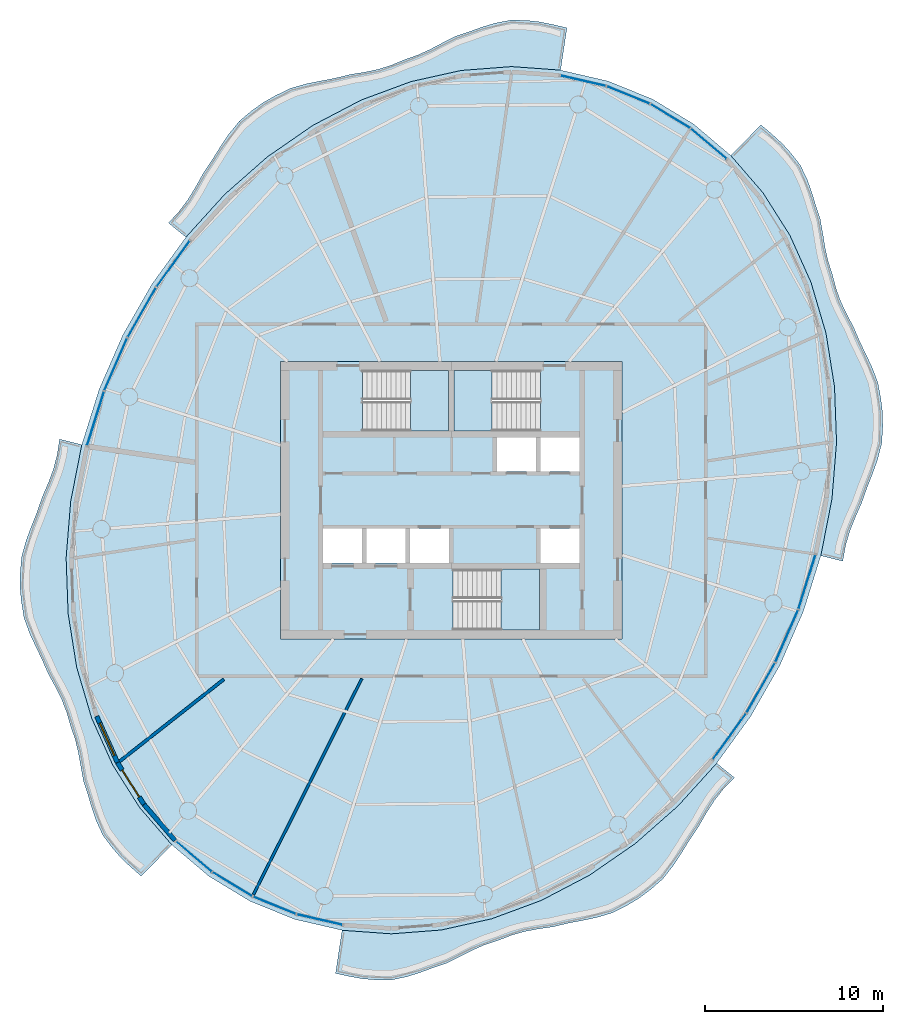
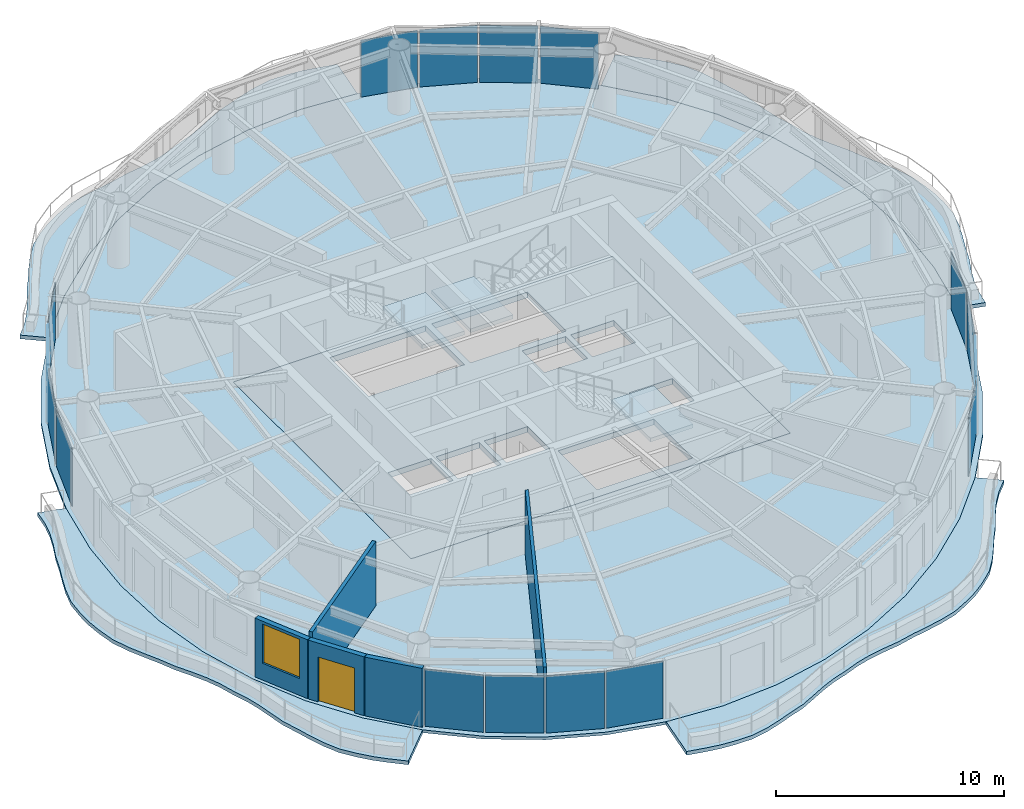
# One storey, part 6 of 13: 16 plates, 9 slabs, 5 walls, 1 door, 1 window, 2 openings, 19 elements without a shape of their own.
"""IFC4 building model written with IfcOpenShell, lengths in metres."""

from ifc_helpers import new_model, si_unit, direction, frame, frame_2d, origin, origin_2d, place, context, subcontext, project, spatial, polyline, rectangle, outline, extrude, material, layer, layer_set, type_object, element, fill, aggregate, save


model = new_model("IFC4")

# Units and contexts
model_context = context("Model", 3, precision=1e-05, world=origin(), true_north=direction((0.0, 1.0)))
body_context = subcontext(model_context, "Body", "Model", "MODEL_VIEW")
ifc_project = project(units=[si_unit("LENGTHUNIT", "METRE"), si_unit("AREAUNIT", "SQUARE_METRE"), si_unit("VOLUMEUNIT", "CUBIC_METRE"), si_unit("PLANEANGLEUNIT", "RADIAN"), si_unit("MASSUNIT", "GRAM", prefix="KILO")], contexts=[model_context])

# Site, building, storey
site_placement = place(None, origin())
site = spatial("IfcSite", under=ifc_project, at=site_placement, CompositionType="ELEMENT")
building_placement = place(site_placement, origin())
building = spatial("IfcBuilding", under=site, at=building_placement, Name="Vermilion Reach Broadcast Tower", CompositionType="ELEMENT")
storey_placement = place(building_placement, frame((0.0, 0.0, 286.5)))
storey = spatial("IfcBuildingStorey", under=building, at=storey_placement, Name="L71", CompositionType="ELEMENT", Elevation=286.5)

# Slabs
ifc_material_1 = material(Name="Concrete C40/50", Category="concrete")
ifc_layer_1 = layer(ifc_material_1, 0.199951171875)
ifc_layer_set_1 = layer_set([ifc_layer_1], Name="Balcony slab 200")
slab_type_1 = type_object("IfcSlabType", Name="Balcony slab 200", PredefinedType="FLOOR", material=ifc_layer_set_1)
placement_1 = place(storey_placement, frame((0.0, 0.0, -0.199951171875)))
element("IfcSlab", 1, at=placement_1, inside=storey, type_object=slab_type_1, Name="Balcony slab L71 group 1", PredefinedType="FLOOR", context=body_context, shape_type="SweptSolid", body=[
    extrude(outline(polyline([(0.14208984375, 24.173583984375), (-2.62158203125, 24.37353515625), (-5.443115234375, 24.156494140625), (-8.27392578125, 23.526123046875), (-11.06591796875, 22.4931640625), (-13.771484375, 21.0751953125), (-16.34375, 19.296875), (-18.7392578125, 17.188232421875), (-20.916748046875, 14.78564453125), (-21.9013671875, 15.584228515625), (-21.3037109375, 16.230224609375), (-20.81640625, 16.882568359375), (-20.385498046875, 17.586181640625), (-19.932861328125, 18.399169921875), (-19.419189453125, 19.168212890625), (-18.978759765625, 19.875244140625), (-18.520263671875, 20.56201171875), (-17.915283203125, 21.307861328125), (-17.19921875, 21.9091796875), (-16.56103515625, 22.360595703125), (-15.877197265625, 22.746337890625), (-15.030517578125, 23.15771484375), (-14.1328125, 23.409912109375), (-13.352294921875, 23.5654296875), (-12.568359375, 23.71484375), (-11.7041015625, 23.927734375), (-10.853759765625, 24.064208984375), (-10.117919921875, 24.219970703125), (-9.40576171875, 24.440185546875), (-8.6376953125, 24.75927734375), (-7.86669921875, 25.032470703125), (-7.192626953125, 25.341796875), (-6.527587890625, 25.69091796875), (-5.7314453125, 26.091552734375), (-4.903564453125, 26.368408203125), (-4.213134765625, 26.614501953125), (-3.51953125, 26.822265625), (-2.62744140625, 26.9921875), (-1.739501953125, 26.96630859375), (-1.05029296875, 26.891357421875), (-0.36572265625, 26.755126953125), (0.50048828125, 26.552734375), (0.14208984375, 24.173583984375)])), origin(), (0.0, 0.0, 1.0), 0.199951171875),
])
element("IfcSlab", 2, at=placement_1, inside=storey, type_object=slab_type_1, Name="Balcony slab L71 group 2", PredefinedType="FLOOR", context=body_context, shape_type="SweptSolid", body=[
    extrude(outline(polyline([(-26.7705078125, 3.1162109375), (-27.39453125, -0.065673828125), (-27.65234375, -3.246337890625), (-27.539794921875, -6.371826171875), (-27.058837890625, -9.387939453125), (-26.21728515625, -12.24365234375), (-25.030029296875, -14.8896484375), (-23.51708984375, -17.281005859375), (-21.704345703125, -19.376708984375), (-23.43994140625, -21.1298828125), (-24.1083984375, -20.540283203125), (-24.60888671875, -20.057373046875), (-25.06201171875, -19.533447265625), (-25.59375, -18.82275390625), (-25.97119140625, -17.99658203125), (-26.205078125, -17.307373046875), (-26.412109375, -16.601318359375), (-26.6796875, -15.77587890625), (-26.83740234375, -14.906005859375), (-26.96728515625, -14.169677734375), (-27.140380859375, -13.45263671875), (-27.404052734375, -12.682373046875), (-27.633056640625, -11.884765625), (-27.9072265625, -11.189697265625), (-28.24462890625, -10.51318359375), (-28.6611328125, -9.750244140625), (-29.017333984375, -8.92724609375), (-29.36669921875, -8.209716796875), (-29.700439453125, -7.489501953125), (-30.01904296875, -6.61328125), (-30.172119140625, -5.68408203125), (-30.244384765625, -4.904541015625), (-30.23583984375, -4.121826171875), (-30.156005859375, -3.190185546875), (-29.899658203125, -2.263671875), (-29.611083984375, -1.48681640625), (-29.304931640625, -0.711181640625), (-29.003173828125, 0.15673828125), (-28.639404296875, 1.004638671875), (-28.356689453125, 1.775390625), (-28.1533203125, 2.5615234375), (-28.02099609375, 3.43359375), (-26.7705078125, 3.1162109375)])), origin(), (0.0, 0.0, 1.0), 0.199951171875),
])
element("IfcSlab", 3, at=placement_1, inside=storey, type_object=slab_type_1, Name="Balcony slab L71 group 3", PredefinedType="FLOOR", context=body_context, shape_type="SweptSolid", body=[
    extrude(outline(polyline([(-12.14208984375, -24.173583984375), (-9.37841796875, -24.37353515625), (-6.556884765625, -24.156494140625), (-3.72607421875, -23.526123046875), (-0.93408203125, -22.4931640625), (1.771484375, -21.0751953125), (4.34375, -19.296875), (6.7392578125, -17.188232421875), (8.916748046875, -14.78564453125), (9.913818359375, -15.59423828125), (9.29931640625, -16.226318359375), (8.796142578125, -16.8642578125), (8.351806640625, -17.5556640625), (7.892333984375, -18.358154296875), (7.377685546875, -19.12109375), (6.938720703125, -19.829833984375), (6.486572265625, -20.523681640625), (5.8935546875, -21.280029296875), (5.1904296875, -21.896240234375), (4.564208984375, -22.365234375), (3.89208984375, -22.76806640625), (3.05322265625, -23.1953125), (2.158935546875, -23.459716796875), (1.381103515625, -23.62060546875), (0.59716796875, -23.76953125), (-0.273681640625, -23.977294921875), (-1.1318359375, -24.10302734375), (-1.8740234375, -24.2421875), (-2.5927734375, -24.44384765625), (-3.366943359375, -24.74365234375), (-4.140869140625, -24.998779296875), (-4.818115234375, -25.293701171875), (-5.4853515625, -25.633544921875), (-6.27783203125, -26.029052734375), (-7.10107421875, -26.307861328125), (-7.791015625, -26.561767578125), (-8.483642578125, -26.782470703125), (-9.37255859375, -26.96875), (-10.26025390625, -26.96142578125), (-10.95068359375, -26.9052734375), (-11.63671875, -26.786865234375), (-12.50732421875, -26.5986328125), (-12.14208984375, -24.173583984375)])), origin(), (0.0, 0.0, 1.0), 0.199951171875),
])
element("IfcSlab", 4, at=placement_1, inside=storey, type_object=slab_type_1, Name="Balcony slab L71 group 4", PredefinedType="FLOOR", context=body_context, shape_type="SweptSolid", body=[
    extrude(outline(polyline([(14.7705078125, -3.1162109375), (15.39453125, 0.065673828125), (15.65234375, 3.246337890625), (15.539794921875, 6.371826171875), (15.058837890625, 9.387939453125), (14.21728515625, 12.24365234375), (13.030029296875, 14.8896484375), (11.51708984375, 17.281005859375), (9.704345703125, 19.376708984375), (11.408203125, 21.09765625), (12.085693359375, 20.5205078125), (12.599609375, 20.04931640625), (13.067138671875, 19.537841796875), (13.614013671875, 18.837646484375), (14.006103515625, 18.0185546875), (14.25048828125, 17.336181640625), (14.4638671875, 16.634033203125), (14.7353515625, 15.8056640625), (14.890625, 14.929931640625), (15.01123046875, 14.189208984375), (15.17041015625, 13.466064453125), (15.417724609375, 12.6875), (15.62744140625, 11.88330078125), (15.8828125, 11.1826171875), (16.20361328125, 10.501220703125), (16.607177734375, 9.738037109375), (16.9560546875, 8.91748046875), (17.305419921875, 8.19970703125), (17.645751953125, 7.48095703125), (17.9765625, 6.609130859375), (18.147705078125, 5.683349609375), (18.240478515625, 4.904296875), (18.253173828125, 4.122314453125), (18.19287109375, 3.189453125), (17.951416015625, 2.259521484375), (17.671875, 1.48193359375), (17.367431640625, 0.7060546875), (17.059814453125, -0.16455078125), (16.6826171875, -1.01318359375), (16.382080078125, -1.7802734375), (16.1572265625, -2.562255859375), (16.003662109375, -3.42919921875), (14.7705078125, -3.1162109375)])), origin(), (0.0, 0.0, 1.0), 0.199951171875),
])
ifc_material_2 = material(Name="Concrete C40", Category="concrete")
ifc_layer_2 = layer(ifc_material_2, 0.300048828125)
ifc_layer_set_2 = layer_set([ifc_layer_2], Name="Core floor slab 300 mm Concrete C40")
slab_type_2 = type_object("IfcSlabType", Name="Core floor slab 300 mm Concrete C40", PredefinedType="FLOOR", material=ifc_layer_set_2)
slab_5_placement = place(storey_placement, frame((0.0, 0.0, -0.300048828125)))
element("IfcSlab", 5, at=slab_5_placement, inside=storey, type_object=slab_type_2, Name="L71 core floor", PredefinedType="FLOOR", context=body_context, shape_type="SweptSolid", body=[
    extrude(outline(polyline([(-15.60009765625, -7.800048828125), (3.60009765625, -7.800048828125), (3.60009765625, 7.800048828125), (-15.60009765625, 7.800048828125), (-15.60009765625, -7.800048828125)]), holes=[polyline([(-3.433349609375, 1.60009765625), (-1.24169921875, 1.60009765625), (-1.24169921875, 3.530029296875), (-3.433349609375, 3.530029296875), (-3.433349609375, 1.60009765625)]), polyline([(-0.99169921875, 1.60009765625), (1.199951171875, 1.60009765625), (1.199951171875, 3.530029296875), (-0.99169921875, 3.530029296875), (-0.99169921875, 1.60009765625)]), polyline([(-13.199951171875, -3.530029296875), (-11.00830078125, -3.530029296875), (-11.00830078125, -1.60009765625), (-13.199951171875, -1.60009765625), (-13.199951171875, -3.530029296875)]), polyline([(-10.75830078125, -3.530029296875), (-8.566650390625, -3.530029296875), (-8.566650390625, -1.60009765625), (-10.75830078125, -1.60009765625), (-10.75830078125, -3.530029296875)]), polyline([(-8.316650390625, -3.530029296875), (-6.125, -3.530029296875), (-6.125, -1.60009765625), (-8.316650390625, -1.60009765625), (-8.316650390625, -3.530029296875)]), polyline([(-0.99169921875, -3.530029296875), (1.199951171875, -3.530029296875), (1.199951171875, -1.60009765625), (-0.99169921875, -1.60009765625), (-0.99169921875, -3.530029296875)]), polyline([(-10.999267578125, 3.8798828125), (-6.14990234375, 3.8798828125), (-6.14990234375, 7.300048828125), (-10.999267578125, 7.300048828125), (-10.999267578125, 3.8798828125)]), polyline([(-1.000732421875, 7.300048828125), (-5.85009765625, 7.300048828125), (-5.85009765625, 3.8798828125), (-1.000732421875, 3.8798828125), (-1.000732421875, 7.300048828125)]), polyline([(-5.8994140625, -7.300048828125), (-1.050048828125, -7.300048828125), (-1.050048828125, -3.8798828125), (-5.8994140625, -3.8798828125), (-5.8994140625, -7.300048828125)])]), origin(), (0.0, 0.0, 1.0), 0.300048828125),
])

# Stair, slab
ifc_material_3 = material(Name="Concrete C40", Category="concrete")
stair_type = type_object("IfcStairType", Name="Exit stair RC 22 risers 164 mm", PredefinedType="HALF_TURN_STAIR", material=ifc_material_3)
placement_2 = place(storey_placement, origin())
stair_1 = element("IfcStair", 6, at=placement_2, inside=storey, type_object=stair_type, Name="L71 Exit stair ST1", PredefinedType="HALF_TURN_STAIR")
ifc_material_4 = material(Name="Concrete C40", Category="concrete")
ifc_layer_3 = layer(ifc_material_4, 0.199951171875)
ifc_layer_set_3 = layer_set([ifc_layer_3], Name="Exit stair landing Concrete C40")
slab_type_3 = type_object("IfcSlabType", Name="Exit stair landing Concrete C40", PredefinedType="LANDING", material=ifc_layer_set_3)
placement_3 = place(storey_placement, frame((0.0, 0.0, 1.60009765625)))
slab_6 = element("IfcSlab", 7, at=placement_3, type_object=slab_type_3, Name="ST1 landing 1", PredefinedType="LANDING", context=body_context, shape_type="SweptSolid", body=[
    extrude(outline(polyline([(-8.300048828125, 3.8798828125), (-6.14990234375, 3.8798828125), (-6.14990234375, 7.300048828125), (-8.300048828125, 7.300048828125), (-8.300048828125, 3.8798828125)])), origin(), (0.0, 0.0, 1.0), 0.199951171875),
])
aggregate(stair_1, [slab_6])

stair_2 = element("IfcStair", 8, at=placement_2, inside=storey, type_object=stair_type, Name="L71 Exit stair ST2", PredefinedType="HALF_TURN_STAIR")
slab_7 = element("IfcSlab", 9, at=placement_3, type_object=slab_type_3, Name="ST2 landing 1", PredefinedType="LANDING", context=body_context, shape_type="SweptSolid", body=[
    extrude(outline(polyline([(-3.699951171875, 7.300048828125), (-5.85009765625, 7.300048828125), (-5.85009765625, 3.8798828125), (-3.699951171875, 3.8798828125), (-3.699951171875, 7.300048828125)])), origin(), (0.0, 0.0, 1.0), 0.199951171875),
])
aggregate(stair_2, [slab_7])

stair_3 = element("IfcStair", 10, at=placement_2, inside=storey, type_object=stair_type, Name="L71 Exit stair ST3", PredefinedType="HALF_TURN_STAIR")
slab_8 = element("IfcSlab", 11, at=placement_3, type_object=slab_type_3, Name="ST3 landing 1", PredefinedType="LANDING", context=body_context, shape_type="SweptSolid", body=[
    extrude(outline(polyline([(-3.199951171875, -7.300048828125), (-1.050048828125, -7.300048828125), (-1.050048828125, -3.8798828125), (-3.199951171875, -3.8798828125), (-3.199951171875, -7.300048828125)])), origin(), (0.0, 0.0, 1.0), 0.199951171875),
])
aggregate(stair_3, [slab_8])

# Slab
ifc_material_5 = material(Name="Concrete C40", Category="concrete")
ifc_layer_4 = layer(ifc_material_5, 0.14990234375)
ifc_layer_set_4 = layer_set([ifc_layer_4], Name="Floor slab Concrete C40 composite 150")
slab_type_4 = type_object("IfcSlabType", Name="Floor slab Concrete C40 composite 150", PredefinedType="FLOOR", material=ifc_layer_set_4)
slab_9_placement = place(storey_placement, frame((0.0, 0.0, -0.14990234375)))
element("IfcSlab", 12, at=slab_9_placement, inside=storey, type_object=slab_type_4, Name="Floor slab L71", PredefinedType="FLOOR", context=body_context, shape_type="SweptSolid", body=[
    extrude(outline(polyline([(5.30859375, 22.543212890625), (2.800537109375, 23.56005859375), (0.14208984375, 24.173583984375), (-2.62158203125, 24.37353515625), (-5.443115234375, 24.156494140625), (-8.27392578125, 23.526123046875), (-11.06591796875, 22.4931640625), (-13.771484375, 21.0751953125), (-16.34375, 19.296875), (-18.7392578125, 17.188232421875), (-20.916748046875, 14.78564453125), (-22.8388671875, 12.1298828125), (-24.472900390625, 9.266845703125), (-25.791015625, 6.244873046875), (-26.7705078125, 3.1162109375), (-27.39453125, -0.065673828125), (-27.65234375, -3.246337890625), (-27.539794921875, -6.371826171875), (-27.058837890625, -9.387939453125), (-26.21728515625, -12.24365234375), (-25.030029296875, -14.8896484375), (-23.51708984375, -17.281005859375), (-21.704345703125, -19.376708984375), (-19.623046875, -21.140869140625), (-17.30859375, -22.543212890625), (-14.800537109375, -23.56005859375), (-12.14208984375, -24.173583984375), (-9.37841796875, -24.37353515625), (-6.556884765625, -24.156494140625), (-3.72607421875, -23.526123046875), (-0.93408203125, -22.4931640625), (1.771484375, -21.0751953125), (4.34375, -19.296875), (6.7392578125, -17.188232421875), (8.916748046875, -14.78564453125), (10.8388671875, -12.1298828125), (12.472900390625, -9.266845703125), (13.791015625, -6.244873046875), (14.7705078125, -3.1162109375), (15.39453125, 0.065673828125), (15.65234375, 3.246337890625), (15.539794921875, 6.371826171875), (15.058837890625, 9.387939453125), (14.21728515625, 12.24365234375), (13.030029296875, 14.8896484375), (11.51708984375, 17.281005859375), (9.704345703125, 19.376708984375), (7.623046875, 21.140869140625), (5.30859375, 22.543212890625)]), holes=[polyline([(-15.60009765625, -7.800048828125), (3.60009765625, -7.800048828125), (3.60009765625, 7.800048828125), (-15.60009765625, 7.800048828125), (-15.60009765625, -7.800048828125)])]), origin(), (0.0, 0.0, 1.0), 0.14990234375),
])

# Curtain wall, plate
ifc_material_6 = material(Name="Low-e laminated clear glass in aluminium frame", Category="aluminium")
curtain_wall_type = type_object("IfcCurtainWallType", Name="Slot curtain wall", PredefinedType="NOTDEFINED", material=ifc_material_6)
curtain_wall_1 = element("IfcCurtainWall", 13, at=placement_2, inside=storey, type_object=curtain_wall_type, Name="Slot curtain wall L71 46", PredefinedType="NOTDEFINED")
ifc_material_7 = material(Name="Low-e laminated clear glass", Category="glass")
ifc_layer_5 = layer(ifc_material_7, 0.028076171875)
ifc_layer_set_5 = layer_set([ifc_layer_5], Name="Slot glass panel")
plate_type = type_object("IfcPlateType", Name="Slot glass panel", PredefinedType="CURTAIN_PANEL", material=ifc_layer_set_5)
plate_1_placement = place(storey_placement, frame((8.470458984375, 20.030517578125, 0.0), z_axis=(0.0, 0.0, 1.0), x_axis=(-0.762842395435, 0.646584472229, 0.0)))
plate_1 = element("IfcPlate", 14, at=plate_1_placement, type_object=plate_type, Name="Slot glass panel L71 46", PredefinedType="CURTAIN_PANEL", context=body_context, shape_type="SweptSolid", body=[
    extrude(rectangle(XDim=2.6015625, YDim=0.028076171875, at=origin_2d()), origin(), (0.0, 0.0, 1.0), 3.050048828125),
])
aggregate(curtain_wall_1, [plate_1])

curtain_wall_2 = element("IfcCurtainWall", 15, at=placement_2, inside=storey, type_object=curtain_wall_type, Name="Slot curtain wall L71 47", PredefinedType="NOTDEFINED")
plate_2_placement = place(storey_placement, frame((6.310791015625, 21.58642578125, 0.0), z_axis=(0.0, 0.0, 1.0), x_axis=(-0.855244477725, 0.518224742097, 0.0)))
plate_2 = element("IfcPlate", 16, at=plate_2_placement, type_object=plate_type, Name="Slot glass panel L71 47", PredefinedType="CURTAIN_PANEL", context=body_context, shape_type="SweptSolid", body=[
    extrude(rectangle(XDim=2.578369140625, YDim=0.028076171875, at=origin_2d()), origin(), (0.0, 0.0, 1.0), 3.050048828125),
])
aggregate(curtain_wall_2, [plate_2])

curtain_wall_3 = element("IfcCurtainWall", 17, at=placement_2, inside=storey, type_object=curtain_wall_type, Name="Slot curtain wall L71 00", PredefinedType="NOTDEFINED")
plate_3_placement = place(storey_placement, frame((3.942138671875, 22.774658203125, 0.0), z_axis=(0.0, 0.0, 1.0), x_axis=(-0.926746811252, 0.375686502066, 0.0)))
plate_3 = element("IfcPlate", 18, at=plate_3_placement, type_object=plate_type, Name="Slot glass panel L71 00", PredefinedType="CURTAIN_PANEL", context=body_context, shape_type="SweptSolid", body=[
    extrude(rectangle(XDim=2.578369140625, YDim=0.028076171875, at=origin_2d()), origin(), (0.0, 0.0, 1.0), 3.050048828125),
])
aggregate(curtain_wall_3, [plate_3])

curtain_wall_4 = element("IfcCurtainWall", 19, at=placement_2, inside=storey, type_object=curtain_wall_type, Name="Slot curtain wall L71 01", PredefinedType="NOTDEFINED")
plate_4_placement = place(storey_placement, frame((1.40380859375, 23.575439453125, 0.0), z_axis=(0.0, 0.0, 1.0), x_axis=(-0.974388015198, 0.224873288407, 0.0)))
plate_4 = element("IfcPlate", 20, at=plate_4_placement, type_object=plate_type, Name="Slot glass panel L71 01", PredefinedType="CURTAIN_PANEL", context=body_context, shape_type="SweptSolid", body=[
    extrude(rectangle(XDim=2.6015625, YDim=0.028076171875, at=origin_2d()), origin(), (0.0, 0.0, 1.0), 3.050048828125),
])
aggregate(curtain_wall_4, [plate_4])

curtain_wall_5 = element("IfcCurtainWall", 21, at=placement_2, inside=storey, type_object=curtain_wall_type, Name="Slot curtain wall L71 10", PredefinedType="NOTDEFINED")
plate_5_placement = place(storey_placement, frame((-21.63525390625, 13.281982421875, 0.0), z_axis=(0.0, 0.0, 1.0), x_axis=(-0.586337411162, -0.810066935673, 0.0)))
plate_5 = element("IfcPlate", 22, at=plate_5_placement, type_object=plate_type, Name="Slot glass panel L71 10", PredefinedType="CURTAIN_PANEL", context=body_context, shape_type="SweptSolid", body=[
    extrude(rectangle(XDim=3.165771484375, YDim=0.028076171875, at=origin_2d()), origin(), (0.0, 0.0, 1.0), 3.050048828125),
])
aggregate(curtain_wall_5, [plate_5])

curtain_wall_6 = element("IfcCurtainWall", 23, at=placement_2, inside=storey, type_object=curtain_wall_type, Name="Slot curtain wall L71 11", PredefinedType="NOTDEFINED")
plate_6_placement = place(storey_placement, frame((-23.395751953125, 10.5498046875, 0.0), z_axis=(0.0, 0.0, 1.0), x_axis=(-0.495675635385, -0.868507722755, 0.0)))
plate_6 = element("IfcPlate", 24, at=plate_6_placement, type_object=plate_type, Name="Slot glass panel L71 11", PredefinedType="CURTAIN_PANEL", context=body_context, shape_type="SweptSolid", body=[
    extrude(rectangle(XDim=3.1845703125, YDim=0.028076171875, at=origin_2d()), origin(), (0.0, 0.0, 1.0), 3.050048828125),
])
aggregate(curtain_wall_6, [plate_6])

curtain_wall_7 = element("IfcCurtainWall", 25, at=placement_2, inside=storey, type_object=curtain_wall_type, Name="Slot curtain wall L71 12", PredefinedType="NOTDEFINED")
plate_7_placement = place(storey_placement, frame((-24.857421875, 7.635986328125, 0.0), z_axis=(0.0, 0.0, 1.0), x_axis=(-0.399800206862, -0.916602309943, 0.0)))
plate_7 = element("IfcPlate", 26, at=plate_7_placement, type_object=plate_type, Name="Slot glass panel L71 12", PredefinedType="CURTAIN_PANEL", context=body_context, shape_type="SweptSolid", body=[
    extrude(rectangle(XDim=3.1845703125, YDim=0.028076171875, at=origin_2d()), origin(), (0.0, 0.0, 1.0), 3.050048828125),
])
aggregate(curtain_wall_7, [plate_7])

curtain_wall_8 = element("IfcCurtainWall", 27, at=placement_2, inside=storey, type_object=curtain_wall_type, Name="Slot curtain wall L71 13", PredefinedType="NOTDEFINED")
plate_8_placement = place(storey_placement, frame((-25.994873046875, 4.59130859375, 0.0), z_axis=(0.0, 0.0, 1.0), x_axis=(-0.298748786508, -0.95433178851, 0.0)))
plate_8 = element("IfcPlate", 28, at=plate_8_placement, type_object=plate_type, Name="Slot glass panel L71 13", PredefinedType="CURTAIN_PANEL", context=body_context, shape_type="SweptSolid", body=[
    extrude(rectangle(XDim=3.165771484375, YDim=0.028076171875, at=origin_2d()), origin(), (0.0, 0.0, 1.0), 3.050048828125),
])
aggregate(curtain_wall_8, [plate_8])

curtain_wall_9 = element("IfcCurtainWall", 29, at=placement_2, inside=storey, type_object=curtain_wall_type, Name="Slot curtain wall L71 22", PredefinedType="NOTDEFINED")
plate_9_placement = place(storey_placement, frame((-20.470458984375, -20.030517578125, 0.0), z_axis=(0.0, 0.0, 1.0), x_axis=(0.762842395435, -0.646584472229, 0.0)))
plate_9 = element("IfcPlate", 30, at=plate_9_placement, type_object=plate_type, Name="Slot glass panel L71 22", PredefinedType="CURTAIN_PANEL", context=body_context, shape_type="SweptSolid", body=[
    extrude(rectangle(XDim=2.6015625, YDim=0.028076171875, at=origin_2d()), origin(), (0.0, 0.0, 1.0), 3.050048828125),
])
aggregate(curtain_wall_9, [plate_9])

curtain_wall_10 = element("IfcCurtainWall", 31, at=placement_2, inside=storey, type_object=curtain_wall_type, Name="Slot curtain wall L71 23", PredefinedType="NOTDEFINED")
plate_10_placement = place(storey_placement, frame((-18.310791015625, -21.58642578125, 0.0), z_axis=(0.0, 0.0, 1.0), x_axis=(0.855244477725, -0.518224742097, 0.0)))
plate_10 = element("IfcPlate", 32, at=plate_10_placement, type_object=plate_type, Name="Slot glass panel L71 23", PredefinedType="CURTAIN_PANEL", context=body_context, shape_type="SweptSolid", body=[
    extrude(rectangle(XDim=2.578369140625, YDim=0.028076171875, at=origin_2d()), origin(), (0.0, 0.0, 1.0), 3.050048828125),
])
aggregate(curtain_wall_10, [plate_10])

curtain_wall_11 = element("IfcCurtainWall", 33, at=placement_2, inside=storey, type_object=curtain_wall_type, Name="Slot curtain wall L71 24", PredefinedType="NOTDEFINED")
plate_11_placement = place(storey_placement, frame((-15.942138671875, -22.774658203125, 0.0), z_axis=(0.0, 0.0, 1.0), x_axis=(0.926746811252, -0.375686502066, 0.0)))
plate_11 = element("IfcPlate", 34, at=plate_11_placement, type_object=plate_type, Name="Slot glass panel L71 24", PredefinedType="CURTAIN_PANEL", context=body_context, shape_type="SweptSolid", body=[
    extrude(rectangle(XDim=2.578369140625, YDim=0.028076171875, at=origin_2d()), origin(), (0.0, 0.0, 1.0), 3.050048828125),
])
aggregate(curtain_wall_11, [plate_11])

curtain_wall_12 = element("IfcCurtainWall", 35, at=placement_2, inside=storey, type_object=curtain_wall_type, Name="Slot curtain wall L71 25", PredefinedType="NOTDEFINED")
plate_12_placement = place(storey_placement, frame((-13.40380859375, -23.575439453125, 0.0), z_axis=(0.0, 0.0, 1.0), x_axis=(0.974388015198, -0.224873288407, 0.0)))
plate_12 = element("IfcPlate", 36, at=plate_12_placement, type_object=plate_type, Name="Slot glass panel L71 25", PredefinedType="CURTAIN_PANEL", context=body_context, shape_type="SweptSolid", body=[
    extrude(rectangle(XDim=2.6015625, YDim=0.028076171875, at=origin_2d()), origin(), (0.0, 0.0, 1.0), 3.050048828125),
])
aggregate(curtain_wall_12, [plate_12])

curtain_wall_13 = element("IfcCurtainWall", 37, at=placement_2, inside=storey, type_object=curtain_wall_type, Name="Slot curtain wall L71 34", PredefinedType="NOTDEFINED")
plate_13_placement = place(storey_placement, frame((9.63525390625, -13.281982421875, 0.0), z_axis=(0.0, 0.0, 1.0), x_axis=(0.586337411162, 0.810066935673, 0.0)))
plate_13 = element("IfcPlate", 38, at=plate_13_placement, type_object=plate_type, Name="Slot glass panel L71 34", PredefinedType="CURTAIN_PANEL", context=body_context, shape_type="SweptSolid", body=[
    extrude(rectangle(XDim=3.165771484375, YDim=0.028076171875, at=origin_2d()), origin(), (0.0, 0.0, 1.0), 3.050048828125),
])
aggregate(curtain_wall_13, [plate_13])

curtain_wall_14 = element("IfcCurtainWall", 39, at=placement_2, inside=storey, type_object=curtain_wall_type, Name="Slot curtain wall L71 35", PredefinedType="NOTDEFINED")
plate_14_placement = place(storey_placement, frame((11.395751953125, -10.5498046875, 0.0), z_axis=(0.0, 0.0, 1.0), x_axis=(0.495675635385, 0.868507722755, 0.0)))
plate_14 = element("IfcPlate", 40, at=plate_14_placement, type_object=plate_type, Name="Slot glass panel L71 35", PredefinedType="CURTAIN_PANEL", context=body_context, shape_type="SweptSolid", body=[
    extrude(rectangle(XDim=3.1845703125, YDim=0.028076171875, at=origin_2d()), origin(), (0.0, 0.0, 1.0), 3.050048828125),
])
aggregate(curtain_wall_14, [plate_14])

curtain_wall_15 = element("IfcCurtainWall", 41, at=placement_2, inside=storey, type_object=curtain_wall_type, Name="Slot curtain wall L71 36", PredefinedType="NOTDEFINED")
plate_15_placement = place(storey_placement, frame((12.857421875, -7.635986328125, 0.0), z_axis=(0.0, 0.0, 1.0), x_axis=(0.399800206862, 0.916602309943, 0.0)))
plate_15 = element("IfcPlate", 42, at=plate_15_placement, type_object=plate_type, Name="Slot glass panel L71 36", PredefinedType="CURTAIN_PANEL", context=body_context, shape_type="SweptSolid", body=[
    extrude(rectangle(XDim=3.1845703125, YDim=0.028076171875, at=origin_2d()), origin(), (0.0, 0.0, 1.0), 3.050048828125),
])
aggregate(curtain_wall_15, [plate_15])

curtain_wall_16 = element("IfcCurtainWall", 43, at=placement_2, inside=storey, type_object=curtain_wall_type, Name="Slot curtain wall L71 37", PredefinedType="NOTDEFINED")
plate_16_placement = place(storey_placement, frame((13.994873046875, -4.59130859375, 0.0), z_axis=(0.0, 0.0, 1.0), x_axis=(0.298748786508, 0.95433178851, 0.0)))
plate_16 = element("IfcPlate", 44, at=plate_16_placement, type_object=plate_type, Name="Slot glass panel L71 37", PredefinedType="CURTAIN_PANEL", context=body_context, shape_type="SweptSolid", body=[
    extrude(rectangle(XDim=3.165771484375, YDim=0.028076171875, at=origin_2d()), origin(), (0.0, 0.0, 1.0), 3.050048828125),
])
aggregate(curtain_wall_16, [plate_16])

# Walls
ifc_material_8 = material(Name="Lightweight concrete block, plastered", Category="concrete")
ifc_layer_6 = layer(ifc_material_8, 0.14990234375)
ifc_layer_set_6 = layer_set([ifc_layer_6], Name="Partition 150 lightweight block")
wall_type_1 = type_object("IfcWallType", Name="Partition 150 lightweight block", PredefinedType="PARTITIONING", material=ifc_layer_set_6)
wall_1_placement = place(storey_placement, frame((-17.117919921875, -22.163330078125, 0.0), z_axis=(0.0, 0.0, 1.0), x_axis=(0.448386215015, 0.893839919776, 0.0)))
element("IfcWall", 45, at=wall_1_placement, inside=storey, type_object=wall_type_1, Name="Partition 71.06", PredefinedType="PARTITIONING", context=body_context, shape_type="SweptSolid", body=[
    extrude(rectangle(XDim=13.5703125, YDim=0.14990234375, at=frame_2d((6.78515625, 0.0))), origin(), (0.0, 0.0, 1.0), 3.449951171875),
])
ifc_material_9 = material(Name="Fire-rated block, plastered")
ifc_layer_7 = layer(ifc_material_9, 0.175048828125)
ifc_layer_set_7 = layer_set([ifc_layer_7], Name="Partition 175 fire-rated block")
wall_type_2 = type_object("IfcWallType", Name="Partition 175 fire-rated block", PredefinedType="PARTITIONING", material=ifc_layer_set_7)
wall_2_placement = place(storey_placement, frame((-24.655517578125, -14.68896484375, 0.0), z_axis=(0.0, 0.0, 1.0), x_axis=(0.785692916709, 0.618616715449, 0.0)))
element("IfcWall", 46, at=wall_2_placement, inside=storey, type_object=wall_type_2, Name="Partition 71.05", PredefinedType="PARTITIONING", context=body_context, shape_type="SweptSolid", body=[
    extrude(rectangle(XDim=7.468505859375, YDim=0.175048828125, at=frame_2d((3.734375, 0.0))), origin(), (0.0, 0.0, 1.0), 3.449951171875),
])

# Wall, opening, window
ifc_material_10 = material(Name="Terracotta rainscreen cladding", Category="masonry")
ifc_layer_8 = layer(ifc_material_10, 0.25)
ifc_layer_set_8 = layer_set([ifc_layer_8], Name="Terracotta rainscreen wall 250")
wall_type_3 = type_object("IfcWallType", Name="Terracotta rainscreen wall 250", PredefinedType="SOLIDWALL", material=ifc_layer_set_8)
wall_3_placement = place(storey_placement, frame((-25.9306640625, -12.151123046875, 0.0), z_axis=(0.0, 0.0, 1.0), x_axis=(0.409357706151, -0.91237397399, 0.0)))
wall_3 = element("IfcWall", 47, at=wall_3_placement, inside=storey, type_object=wall_type_3, Name="External wall L71 19", PredefinedType="SOLIDWALL", context=body_context, shape_type="SweptSolid", body=[
    extrude(rectangle(XDim=2.83349609375, YDim=0.25, at=frame_2d((1.416748046875, 0.0))), origin(), (0.0, 0.0, 1.0), 3.14990234375),
])
opening_1_placement = place(wall_3_placement, frame((0.416748046875, 0.0, 0.89990234375)))
opening_1 = element("IfcOpeningElement", 48, at=opening_1_placement, cuts=wall_3, Name="Opening W03", PredefinedType="OPENING", context=body_context, shape_type="SweptSolid", body=[
    extrude(rectangle(XDim=2.0, YDim=2.10009765625, at=frame_2d((1.0, 1.050048828125))), frame((0.0, 0.135009765625, 0.0), z_axis=(0.0, -1.0, 0.0), x_axis=(1.0, 0.0, 0.0)), (0.0, 0.0, 1.0), 0.27001953125),
])
ifc_material_11 = material(Name="Low-e laminated clear glass in aluminium frame", Category="aluminium")
window_type = type_object("IfcWindowType", Name="Punched window 2000 x 2100 sill 900", PartitioningType="SINGLE_PANEL", PredefinedType="WINDOW", material=ifc_material_11)
window_placement = place(opening_1_placement, origin())
window = element("IfcWindow", 49, at=window_placement, inside=storey, type_object=window_type, Name="Window L71 19", OverallHeight=2.10009765625, OverallWidth=2.0, PartitioningType="SINGLE_PANEL", PredefinedType="WINDOW", context=body_context, shape_type="SweptSolid", body=[
    extrude(rectangle(XDim=2.0, YDim=2.10009765625, at=frame_2d((1.0, 1.050048828125))), frame((0.0, 0.030029296875, 0.0), z_axis=(0.0, -1.0, 0.0), x_axis=(1.0, 0.0, 0.0)), (0.0, 0.0, 1.0), 0.06005859375),
])
fill(opening_1, window)

# Wall, opening, door
wall_4_placement = place(storey_placement, frame((-24.7587890625, -14.7587890625, 0.0), z_axis=(0.0, 0.0, 1.0), x_axis=(0.534618506931, -0.845093516747, 0.0)))
wall_4 = element("IfcWall", 50, at=wall_4_placement, inside=storey, type_object=wall_type_3, Name="External wall L71 20", PredefinedType="SOLIDWALL", context=body_context, shape_type="SweptSolid", body=[
    extrude(rectangle(XDim=2.760009765625, YDim=0.25, at=frame_2d((1.3798828125, 0.0))), origin(), (0.0, 0.0, 1.0), 3.14990234375),
])
opening_2_placement = place(wall_4_placement, frame((0.47998046875, 0.0, 0.0)))
opening_2 = element("IfcOpeningElement", 51, at=opening_2_placement, cuts=wall_4, Name="Opening D70", PredefinedType="OPENING", context=body_context, shape_type="SweptSolid", body=[
    extrude(rectangle(XDim=1.800048828125, YDim=2.39990234375, at=frame_2d((0.89990234375, 1.199951171875))), frame((0.0, 0.135009765625, 0.0), z_axis=(0.0, -1.0, 0.0), x_axis=(1.0, 0.0, 0.0)), (0.0, 0.0, 1.0), 0.27001953125),
])
ifc_material_12 = material(Name="Low-e laminated clear glass in aluminium frame", Category="aluminium")
door_type = type_object("IfcDoorType", Name="Balcony sliding door 1800 x 2400", OperationType="DOUBLE_DOOR_SLIDING", PredefinedType="DOOR", material=ifc_material_12)
door_placement = place(opening_2_placement, origin())
door = element("IfcDoor", 52, at=door_placement, inside=storey, type_object=door_type, Name="Balcony door L71 run 05", OperationType="DOUBLE_DOOR_SLIDING", OverallHeight=2.39990234375, OverallWidth=1.800048828125, PredefinedType="DOOR", context=body_context, shape_type="SweptSolid", body=[
    extrude(rectangle(XDim=1.800048828125, YDim=2.39990234375, at=frame_2d((0.89990234375, 1.199951171875))), frame((0.0, 0.02490234375, 0.0), z_axis=(0.0, -1.0, 0.0), x_axis=(1.0, 0.0, 0.0)), (0.0, 0.0, 1.0), 0.050048828125),
])
fill(opening_2, door)

# Wall
wall_5_placement = place(storey_placement, frame((-23.267333984375, -17.112548828125, 0.0), z_axis=(0.0, 0.0, 1.0), x_axis=(0.654220123959, -0.756304191055, 0.0)))
element("IfcWall", 53, at=wall_5_placement, inside=storey, type_object=wall_type_3, Name="External wall L71 21", PredefinedType="SOLIDWALL", context=body_context, shape_type="SweptSolid", body=[
    extrude(rectangle(XDim=2.656982421875, YDim=0.25, at=frame_2d((1.32861328125, 0.0))), origin(), (0.0, 0.0, 1.0), 3.14990234375),
])

save(model, "model.ifc")
